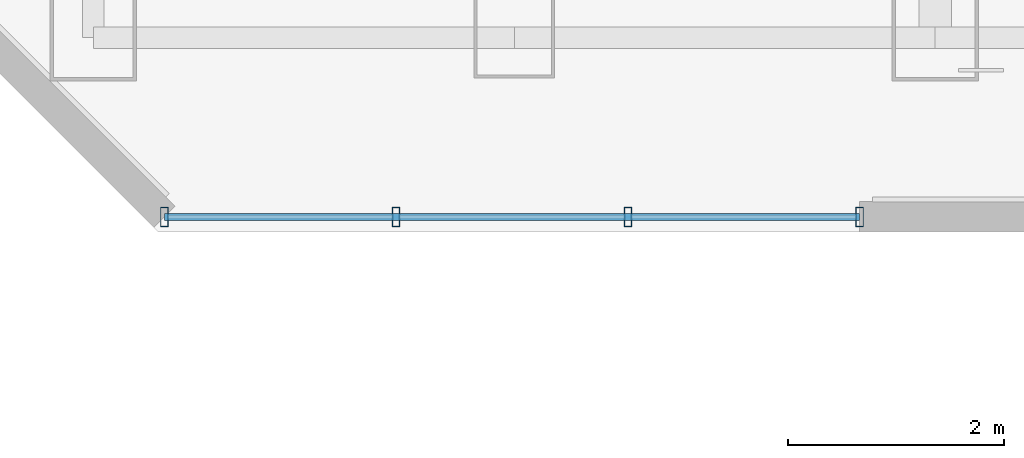
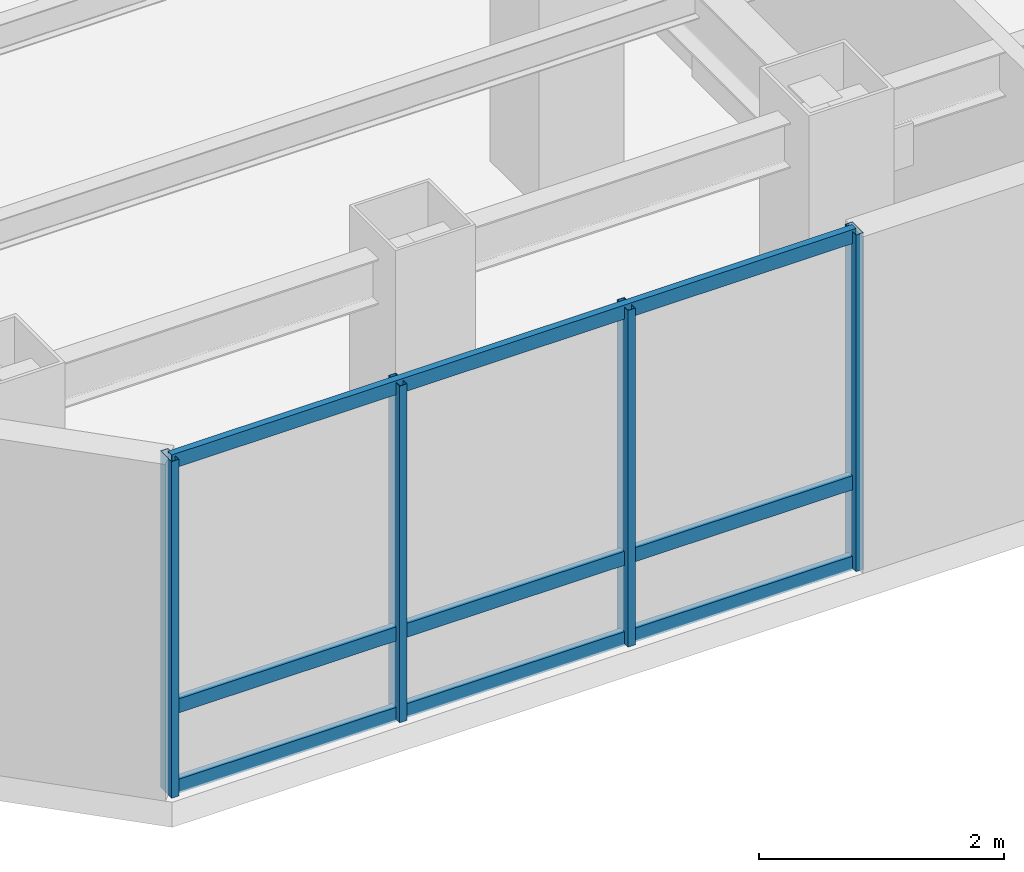
# One storey, part 2 of 27: 7 members, 1 element without a shape of its own.
"""IFC4 building model written with IfcOpenShell, lengths in metres."""

from ifc_helpers import new_model, si_unit, direction, frame, origin, origin_2d, place, context, subcontext, project, spatial, hollow_rectangle, extrude, material, layer, layer_set, material_profile, profile_set, type_object, element, aggregate, save


model = new_model("IFC4")

# Units and contexts
model_context = context("Model", 3, precision=1e-05, world=origin(), true_north=direction((0.0, 1.0)))
body_context = subcontext(model_context, "Body", "Model", "MODEL_VIEW")
ifc_project = project(units=[si_unit("LENGTHUNIT", "METRE"), si_unit("AREAUNIT", "SQUARE_METRE"), si_unit("VOLUMEUNIT", "CUBIC_METRE"), si_unit("PLANEANGLEUNIT", "RADIAN"), si_unit("MASSUNIT", "GRAM", prefix="KILO")], contexts=[model_context])

# Site, building, storey
site_placement = place(None, origin())
site = spatial("IfcSite", under=ifc_project, at=site_placement, CompositionType="ELEMENT")
building_placement = place(site_placement, origin())
building = spatial("IfcBuilding", under=site, at=building_placement, Name="Hatsunagi Terrace Concourse", CompositionType="ELEMENT")
storey_placement = place(building_placement, frame((0.0, 0.0, 174.449951171875)))
storey = spatial("IfcBuildingStorey", under=building, at=storey_placement, Name="L46", CompositionType="ELEMENT", Elevation=174.449951171875)

# Curtain wall, members
ifc_material_1 = material(Name="Anodised Aluminium Alloy 6063-T5", Category="aluminium")
ifc_layer = layer(ifc_material_1, 0.199951171875)
ifc_layer_set = layer_set([ifc_layer], Name="OfficeZone1_CW03")
curtain_wall_type = type_object("IfcCurtainWallType", Name="OfficeZone1_CW03", PredefinedType="NOTDEFINED", material=ifc_layer_set)
curtain_wall_placement = place(storey_placement, origin())
curtain_wall = element("IfcCurtainWall", 1, at=curtain_wall_placement, inside=storey, type_object=curtain_wall_type, Name="Unitised Curtain Wall CW-03 CW-L46-07", PredefinedType="NOTDEFINED")
ifc_material_2 = material(Name="Anodised Aluminium Alloy 6063-T5", Category="aluminium")
ifc_material_profile_1 = material_profile(ifc_material_2, hollow_rectangle(XDim=0.070068359375, YDim=0.179931640625, WallThickness=0.00390625, at=origin_2d()), Name="ALU-MUL-180x70x4")
ifc_profile_set_1 = profile_set([ifc_material_profile_1], Name="Anodised Aluminium Alloy 6063-T5")
member_type_1 = type_object("IfcMemberType", Name="CurtainWallMullion_180x70", PredefinedType="MULLION", material=ifc_profile_set_1)
member_1_placement = place(storey_placement, frame((18.5, 23.5400390625, 0.0), z_axis=(0.0, 0.0, 1.0), x_axis=(-1.0, 0.0, 0.0)))
member_1 = element("IfcMember", 2, at=member_1_placement, type_object=member_type_1, Name="Curtain Wall Mullion MUL-02", PredefinedType="MULLION", context=body_context, shape_type="SweptSolid", body=[
    extrude(hollow_rectangle(XDim=0.070068359375, YDim=0.179931640625, WallThickness=0.00390625, at=origin_2d()), origin(), (0.0, 0.0, 1.0), 3.35009765625),
])
member_2_placement = place(storey_placement, frame((16.35302734375, 23.5400390625, 0.0), z_axis=(0.0, 0.0, 1.0), x_axis=(-1.0, 0.0, 0.0)))
member_2 = element("IfcMember", 3, at=member_2_placement, type_object=member_type_1, Name="Curtain Wall Mullion MUL-02", PredefinedType="MULLION", context=body_context, shape_type="SweptSolid", body=[
    extrude(hollow_rectangle(XDim=0.070068359375, YDim=0.179931640625, WallThickness=0.00390625, at=origin_2d()), origin(), (0.0, 0.0, 1.0), 3.35009765625),
])
member_3_placement = place(storey_placement, frame((14.205078125, 23.5400390625, 0.0), z_axis=(0.0, 0.0, 1.0), x_axis=(-1.0, 0.0, 0.0)))
member_3 = element("IfcMember", 4, at=member_3_placement, type_object=member_type_1, Name="Curtain Wall Mullion MUL-02", PredefinedType="MULLION", context=body_context, shape_type="SweptSolid", body=[
    extrude(hollow_rectangle(XDim=0.070068359375, YDim=0.179931640625, WallThickness=0.00390625, at=origin_2d()), origin(), (0.0, 0.0, 1.0), 3.35009765625),
])
member_4_placement = place(storey_placement, frame((12.05810546875, 23.5400390625, 0.0), z_axis=(0.0, 0.0, 1.0), x_axis=(-1.0, 0.0, 0.0)))
member_4 = element("IfcMember", 5, at=member_4_placement, type_object=member_type_1, Name="Curtain Wall Mullion MUL-02", PredefinedType="MULLION", context=body_context, shape_type="SweptSolid", body=[
    extrude(hollow_rectangle(XDim=0.070068359375, YDim=0.179931640625, WallThickness=0.00390625, at=origin_2d()), origin(), (0.0, 0.0, 1.0), 3.35009765625),
])
ifc_material_3 = material(Name="Anodised Aluminium Alloy 6063-T5", Category="aluminium")
ifc_material_profile_2 = material_profile(ifc_material_3, hollow_rectangle(XDim=0.06494140625, YDim=0.139892578125, WallThickness=0.00390625, at=origin_2d()), Name="ALU-TRN-140x65x4")
ifc_profile_set_2 = profile_set([ifc_material_profile_2], Name="Anodised Aluminium Alloy 6063-T5")
member_type_2 = type_object("IfcMemberType", Name="CurtainWallTransom_140x65", PredefinedType="USERDEFINED", material=ifc_profile_set_2)
member_5_placement = place(storey_placement, frame((18.5, 23.5400390625, 0.050048828125), z_axis=(-1.0, 0.0, 0.0), x_axis=(0.0, -1.0, 0.0)))
member_5 = element("IfcMember", 6, at=member_5_placement, type_object=member_type_2, Name="Curtain Wall Transom TRN-02", ObjectType="TRANSOM", PredefinedType="USERDEFINED", context=body_context, shape_type="SweptSolid", body=[
    extrude(hollow_rectangle(XDim=0.06494140625, YDim=0.139892578125, WallThickness=0.00390625, at=origin_2d()), origin(), (0.0, 0.0, 1.0), 6.44189453125),
])
member_6_placement = place(storey_placement, frame((18.5, 23.5400390625, 0.85009765625), z_axis=(-1.0, 0.0, 0.0), x_axis=(0.0, -1.0, 0.0)))
member_6 = element("IfcMember", 7, at=member_6_placement, type_object=member_type_2, Name="Curtain Wall Transom TRN-02", ObjectType="TRANSOM", PredefinedType="USERDEFINED", context=body_context, shape_type="SweptSolid", body=[
    extrude(hollow_rectangle(XDim=0.06494140625, YDim=0.139892578125, WallThickness=0.00390625, at=origin_2d()), origin(), (0.0, 0.0, 1.0), 6.44189453125),
])
member_7_placement = place(storey_placement, frame((18.5, 23.5400390625, 3.300048828125), z_axis=(-1.0, 0.0, 0.0), x_axis=(0.0, -1.0, 0.0)))
member_7 = element("IfcMember", 8, at=member_7_placement, type_object=member_type_2, Name="Curtain Wall Transom TRN-02", ObjectType="TRANSOM", PredefinedType="USERDEFINED", context=body_context, shape_type="SweptSolid", body=[
    extrude(hollow_rectangle(XDim=0.06494140625, YDim=0.139892578125, WallThickness=0.00390625, at=origin_2d()), origin(), (0.0, 0.0, 1.0), 6.44189453125),
])
aggregate(curtain_wall, [member_1, member_2, member_3, member_4, member_5, member_6, member_7])

save(model, "model.ifc")
